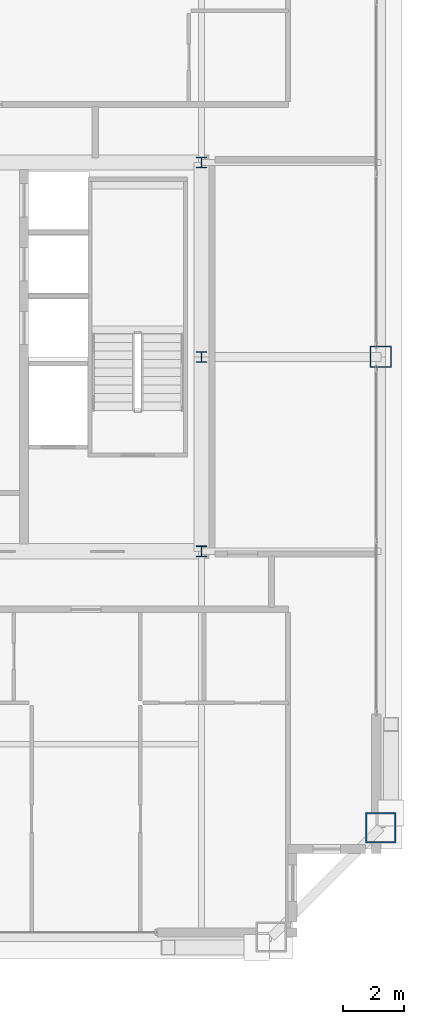
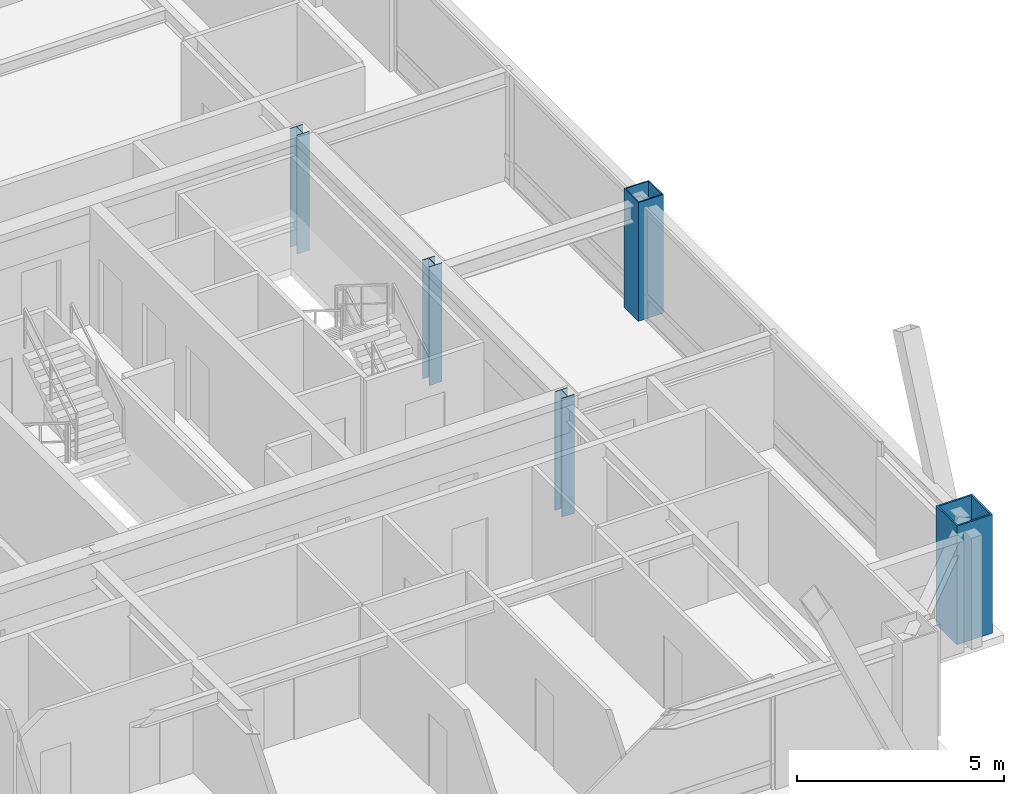
# One storey, part 2 of 33: 5 columns.
"""IFC4 building model written with IfcOpenShell, lengths in metres."""

import ifcopenshell
import ifcopenshell.guid

model = None  # the IFC model being written
_history = None  # IfcOwnerHistory: only IFC2X3 demands one
_inside = {}  # id of a spatial element -> (the spatial element, [elements in it])
_under = {}  # id of a project, library or spatial element -> (it, [spatial elements below it])
_declared = {}  # id of a project -> (the project, [libraries it declares])
_typed = {}  # id of a type object -> (the type object, [elements of that type])
_made_of = {}  # id of a material, layer set ... -> (it, [elements and type objects made of it])


def new_model(schema):
    """Start an empty IFC model of exactly this schema.

    Asked for "IFC4X3", IfcOpenShell would pick the latest addendum, in which some entities
    have other attributes; the version numbers below select the first issue.
    IFC2X3 requires an IfcOwnerHistory on every rooted entity: one is made here for all.
    """
    global model, _history
    if schema == "IFC4X3":
        model = ifcopenshell.file(schema_version=(4, 3, 0, 0))
    else:
        model = ifcopenshell.file(schema=schema)
    _inside.clear()
    _under.clear()
    _declared.clear()
    _typed.clear()
    _made_of.clear()
    _history = None
    if model.schema == "IFC2X3":
        org = make("IfcOrganization", Name="unknown")
        user = make(
            "IfcPersonAndOrganization",
            ThePerson=make("IfcPerson", FamilyName="unknown"),
            TheOrganization=org,
        )
        app = make(
            "IfcApplication",
            ApplicationDeveloper=org,
            Version="unknown",
            ApplicationFullName="unknown",
            ApplicationIdentifier="unknown",
        )
        _history = make(
            "IfcOwnerHistory",
            OwningUser=user,
            OwningApplication=app,
            ChangeAction="ADDED",
            CreationDate=0,
        )
    return model


def make(cls, **values):
    """One entity of the class cls with the attributes given. An attribute that is None is left unset."""
    return model.create_entity(
        cls, **{name: value for name, value in values.items() if value is not None}
    )


def rooted(cls, **values):
    """An entity with a GlobalId (a new one), such as an element, a storey or a relation."""
    return make(cls, GlobalId=ifcopenshell.guid.new(), OwnerHistory=_history, **values)


def si_unit(unit_type, name, prefix=None):
    """IfcSIUnit, for example si_unit("LENGTHUNIT", "METRE", prefix="MILLI")."""
    return make("IfcSIUnit", UnitType=unit_type, Prefix=prefix, Name=name)


def assignment(units):
    """IfcUnitAssignment: the units of a project."""
    return None if units is None else make("IfcUnitAssignment", Units=units)


def point(xyz):
    """IfcCartesianPoint."""
    return None if xyz is None else make("IfcCartesianPoint", Coordinates=xyz)


def direction(xyz):
    """IfcDirection."""
    return None if xyz is None else make("IfcDirection", DirectionRatios=xyz)


def frame(location, z_axis=None, x_axis=None):
    """IfcAxis2Placement3D, a coordinate frame: its origin and axes. An axis left out is left unset."""
    return make(
        "IfcAxis2Placement3D",
        Location=point(location),
        Axis=direction(z_axis),
        RefDirection=direction(x_axis),
    )


def frame_2d(location, x_axis=None):
    """IfcAxis2Placement2D, a coordinate frame in the plane: its origin and x axis."""
    return make(
        "IfcAxis2Placement2D", Location=point(location), RefDirection=direction(x_axis)
    )


def origin():
    """The frame at (0, 0, 0) with its axes left unset."""
    return frame((0.0, 0.0, 0.0))


def origin_2d():
    """The frame at (0, 0) in the plane with its x axis left unset."""
    return frame_2d((0.0, 0.0))


def place(relative_to, where):
    """IfcLocalPlacement: puts the frame where relative to a parent placement (None: the world)."""
    return make(
        "IfcLocalPlacement", PlacementRelTo=relative_to, RelativePlacement=where
    )


def context(
    kind, dimensions, precision=None, world=None, true_north=None, identifier=None
):
    """IfcGeometricRepresentationContext, for example the 3D "Model" context."""
    return make(
        "IfcGeometricRepresentationContext",
        ContextIdentifier=identifier,
        ContextType=kind,
        CoordinateSpaceDimension=dimensions,
        Precision=precision,
        WorldCoordinateSystem=world,
        TrueNorth=true_north,
    )


def subcontext(parent, identifier, kind, view, scale=None):
    """IfcGeometricRepresentationSubContext, for example "Body" below "Model"."""
    return make(
        "IfcGeometricRepresentationSubContext",
        ContextIdentifier=identifier,
        ContextType=kind,
        ParentContext=parent,
        TargetScale=scale,
        TargetView=view,
    )


def project(units=None, contexts=None):
    """IfcProject with its units and contexts."""
    return rooted(
        "IfcProject",
        Name="project",
        RepresentationContexts=contexts,
        UnitsInContext=assignment(units),
    )


def spatial(cls, under=None, at=None, **own):
    """A site, building, storey or space (cls), placed at a placement, below another one or the project."""
    s = rooted(cls, ObjectPlacement=at, **own)
    if under is not None:
        _under.setdefault(under.id(), (under, []))[1].append(s)
    return s


def profile(cls, at=None, kind="AREA", **sizes):
    """A parametric profile (cls). Its sizes go by their IFC names, for example OverallWidth=200.0."""
    return make(cls, ProfileType=kind, Position=at, **sizes)


def hollow_rectangle(**sizes):
    """IfcRectangleHollowProfileDef."""
    return profile("IfcRectangleHollowProfileDef", **sizes)


def i_section(**sizes):
    """IfcIShapeProfileDef."""
    return profile("IfcIShapeProfileDef", **sizes)


def extrude(swept, where, along, depth):
    """IfcExtrudedAreaSolid: the profile swept, set in the frame where, extruded along a direction by depth."""
    return make(
        "IfcExtrudedAreaSolid",
        SweptArea=swept,
        Position=where,
        ExtrudedDirection=direction(along),
        Depth=depth,
    )


def shape(context_of_items, identifier, shape_type, items):
    """IfcShapeRepresentation: the items that make up one representation, for example the "Body"."""
    return make(
        "IfcShapeRepresentation",
        ContextOfItems=context_of_items,
        RepresentationIdentifier=identifier,
        RepresentationType=shape_type,
        Items=items,
    )


def source(mapping_origin, context_of_items, identifier, shape_type, items):
    """IfcRepresentationMap: a shape defined once, which mapped items show again and again."""
    return make(
        "IfcRepresentationMap",
        MappingOrigin=mapping_origin,
        MappedRepresentation=shape(context_of_items, identifier, shape_type, items),
    )


def transform(
    local_origin,
    x_axis=None,
    y_axis=None,
    z_axis=None,
    scale=None,
    scale2=None,
    scale3=None,
    uniform=True,
):
    """IfcCartesianTransformationOperator3D, or its non-uniform kind. x_axis, y_axis, z_axis: its Axis1, 2, 3."""
    if uniform:
        return make(
            "IfcCartesianTransformationOperator3D",
            Axis1=direction(x_axis),
            Axis2=direction(y_axis),
            LocalOrigin=point(local_origin),
            Scale=scale,
            Axis3=direction(z_axis),
        )
    return make(
        "IfcCartesianTransformationOperator3DnonUniform",
        Axis1=direction(x_axis),
        Axis2=direction(y_axis),
        LocalOrigin=point(local_origin),
        Scale=scale,
        Axis3=direction(z_axis),
        Scale2=scale2,
        Scale3=scale3,
    )


def mapped(mapping_source, mapping_target):
    """IfcMappedItem: shows the shape of a source again, moved by a transform."""
    return make(
        "IfcMappedItem", MappingSource=mapping_source, MappingTarget=mapping_target
    )


def material(Name=None, Category=None):
    """IfcMaterial."""
    return make("IfcMaterial", Name=Name, Category=Category)


def material_profile(
    of_material, cross_section, Name=None, Category=None, Priority=None
):
    """IfcMaterialProfile: a cross section and its material."""
    return make(
        "IfcMaterialProfile",
        Name=Name,
        Material=of_material,
        Profile=cross_section,
        Priority=Priority,
        Category=Category,
    )


def profile_set(profiles, Name=None, composite=None):
    """IfcMaterialProfileSet."""
    return make(
        "IfcMaterialProfileSet",
        Name=Name,
        MaterialProfiles=profiles,
        CompositeProfile=composite,
    )


def made_of(thing, what):
    """Note that an element or type object is made of a material, layer set ...; save() writes the relation."""
    if what is not None:
        _made_of.setdefault(what.id(), (what, []))[1].append(thing)
    return thing


def type_object(cls, material=None, **own):
    """A type object (cls), such as IfcWallType, which elements share."""
    return made_of(rooted(cls, **own), material)


def element(
    cls,
    number,
    at=None,
    inside=None,
    cuts=None,
    type_object=None,
    material=None,
    context=None,
    identifier="Body",
    shape_type=None,
    held_by="IfcProductDefinitionShape",
    body=None,
    shapes=None,
    **own,
):
    """One element of the class cls, such as IfcWall. Its Tag is "e" and its number.

    at: its placement. inside: the storey or other place that contains it. cuts: it is an
    opening in that element (IfcRelVoidsElement). A single representation is given by context,
    identifier, shape_type and body (its items); several are given by shapes. held_by: the class
    of the entity that holds the representations. save() writes the other relations.
    """
    e = rooted(cls, Tag="e%d" % number, ObjectPlacement=at, **own)
    if body is not None:
        shapes = [shape(context, identifier, shape_type, body)]
    if shapes is not None:
        e.Representation = make(held_by, Representations=shapes)
    if inside is not None:
        _inside.setdefault(inside.id(), (inside, []))[1].append(e)
    if cuts is not None:
        rooted(
            "IfcRelVoidsElement", RelatingBuildingElement=cuts, RelatedOpeningElement=e
        )
    if type_object is not None:
        _typed.setdefault(type_object.id(), (type_object, []))[1].append(e)
    return made_of(e, material)


def aggregate(whole, parts):
    """IfcRelAggregates: a whole, such as a stair, and the parts it consists of."""
    return rooted("IfcRelAggregates", RelatingObject=whole, RelatedObjects=parts)


def save(model, path):
    """Write the relations noted so far, then the file.

    IfcRelAggregates (storeys below a building ...), IfcRelContainedInSpatialStructure (elements
    in a storey), IfcRelDefinesByType, IfcRelAssociatesMaterial and IfcRelDeclares: one each for
    every whole, place, type object, material and project.
    """
    for whole, parts in _under.values():
        aggregate(whole, parts)
    for where, things in _inside.values():
        rooted(
            "IfcRelContainedInSpatialStructure",
            RelatedElements=things,
            RelatingStructure=where,
        )
    for kind, things in _typed.values():
        rooted("IfcRelDefinesByType", RelatedObjects=things, RelatingType=kind)
    for what, things in _made_of.values():
        rooted("IfcRelAssociatesMaterial", RelatedObjects=things, RelatingMaterial=what)
    for by, libraries in _declared.values():
        rooted("IfcRelDeclares", RelatingContext=by, RelatedDefinitions=libraries)
    model.write(path)


model = new_model("IFC4")

# Units and contexts
model_context = context("Model", 3, precision=1e-05, world=origin(), true_north=direction((0.0, 1.0)))
body_context = subcontext(model_context, "Body", "Model", "MODEL_VIEW")
ifc_project = project(units=[si_unit("LENGTHUNIT", "METRE"), si_unit("AREAUNIT", "SQUARE_METRE"), si_unit("VOLUMEUNIT", "CUBIC_METRE"), si_unit("PLANEANGLEUNIT", "RADIAN"), si_unit("MASSUNIT", "GRAM", prefix="KILO"), si_unit("THERMODYNAMICTEMPERATUREUNIT", "KELVIN"), si_unit("POWERUNIT", "WATT")], contexts=[model_context])

# Site, building, storey
site_placement = place(None, origin())
site = spatial("IfcSite", under=ifc_project, at=site_placement, CompositionType="ELEMENT")
building_placement = place(site_placement, origin())
building = spatial("IfcBuilding", under=site, at=building_placement, Name="Yuzanri Waterfront Tower", CompositionType="ELEMENT")
storey_placement = place(building_placement, frame((0.0, 0.0, 321.699951171875)))
storey = spatial("IfcBuildingStorey", under=building, at=storey_placement, Name="L86", CompositionType="ELEMENT", Elevation=321.699951171875)

# Columns
ifc_material_1 = material(Name="Steel Q355B", Category="steel")
ifc_material_profile_1 = material_profile(ifc_material_1, hollow_rectangle(XDim=0.699951171875, YDim=0.699951171875, WallThickness=0.031982421875, at=origin_2d()), Name="RHS 700x700x32")
ifc_profile_set_1 = profile_set([ifc_material_profile_1], Name="Steel Q355B")
column_type_1 = type_object("IfcColumnType", Name="Frame Column Q355B RHS 700x700x32", PredefinedType="COLUMN", material=ifc_profile_set_1)
shared_shape_1 = source(origin(), body_context, "Body", "SweptSolid", [
    extrude(hollow_rectangle(XDim=0.699951171875, YDim=0.699951171875, WallThickness=0.031982421875, at=origin_2d()), origin(), (0.0, 0.0, 1.0), 3.5),
])
column_1_placement = place(storey_placement, frame((56.10009765625, 25.800048828125, 0.0), z_axis=(0.0, 0.0, 1.0), x_axis=(1.0, 0.0, 0.0)))
element("IfcColumn", 1, at=column_1_placement, inside=storey, type_object=column_type_1, Name="L86 Perimeter Frame Column E2", PredefinedType="COLUMN", context=body_context, shape_type="MappedRepresentation", body=[
    mapped(shared_shape_1, transform((0.0, 0.0, 0.0), scale=1.0)),
])
ifc_material_2 = material(Name="Steel Q355B", Category="steel")
ifc_material_profile_2 = material_profile(ifc_material_2, i_section(OverallWidth=0.35009765625, OverallDepth=0.35009765625, WebThickness=0.011962890625, FlangeThickness=0.01904296875, at=origin_2d()), Name="HW 350x350x12x19")
ifc_profile_set_2 = profile_set([ifc_material_profile_2], Name="Steel Q355B")
column_type_2 = type_object("IfcColumnType", Name="Core Post Q355B HW 350x350x12x19", PredefinedType="COLUMN", material=ifc_profile_set_2)
shared_shape_2 = source(origin(), body_context, "Body", "SweptSolid", [
    extrude(i_section(OverallWidth=0.35009765625, OverallDepth=0.35009765625, WebThickness=0.011962890625, FlangeThickness=0.01904296875, at=origin_2d()), origin(), (0.0, 0.0, 1.0), 3.5),
])
for number, where, z_axis, x_axis, name in (
    (2, (50.199951171875, 19.39990234375, 0.0), (0.0, 0.0, 1.0), (1.0, 0.0, 0.0), "L86 Core Boundary Column CP3"),
    (3, (50.199951171875, 25.800048828125, 0.0), (0.0, 0.0, 1.0), (1.0, 0.0, 0.0), "L86 Core Boundary Column CP5"),
    (4, (50.199951171875, 32.199951171875, 0.0), (0.0, 0.0, 1.0), (1.0, 0.0, 0.0), "L86 Core Boundary Column CP8"),
):
    element("IfcColumn", number, at=place(storey_placement, frame(where, z_axis=z_axis, x_axis=x_axis)), inside=storey, type_object=column_type_2, Name=name, PredefinedType="COLUMN", context=body_context, shape_type="MappedRepresentation", body=[
        mapped(shared_shape_2, transform((0.0, 0.0, 0.0), scale=1.0)),
    ])
ifc_material_3 = material(Name="Steel Q390GJC", Category="steel")
ifc_material_profile_3 = material_profile(ifc_material_3, hollow_rectangle(XDim=1.0, YDim=1.0, WallThickness=0.048095703125, at=origin_2d()), Name="RHS 1000x1000x48")
ifc_profile_set_3 = profile_set([ifc_material_profile_3], Name="Steel Q390GJC")
column_type_3 = type_object("IfcColumnType", Name="Mega Column Q390GJC RHS 1000x1000x48", PredefinedType="COLUMN", material=ifc_profile_set_3)
shared_shape_3 = source(origin(), body_context, "Body", "SweptSolid", [
    extrude(hollow_rectangle(XDim=1.0, YDim=1.0, WallThickness=0.048095703125, at=origin_2d()), origin(), (0.0, 0.0, 1.0), 3.5),
])
column_2_placement = place(storey_placement, frame((56.10009765625, 10.300048828125, 0.0), z_axis=(0.0, 0.0, 1.0), x_axis=(1.0, 0.0, 0.0)))
element("IfcColumn", 5, at=column_2_placement, inside=storey, type_object=column_type_3, Name="L86 Perimeter Mega Column E1", PredefinedType="COLUMN", context=body_context, shape_type="MappedRepresentation", body=[
    mapped(shared_shape_3, transform((0.0, 0.0, 0.0), scale=1.0)),
])

save(model, "model.ifc")
